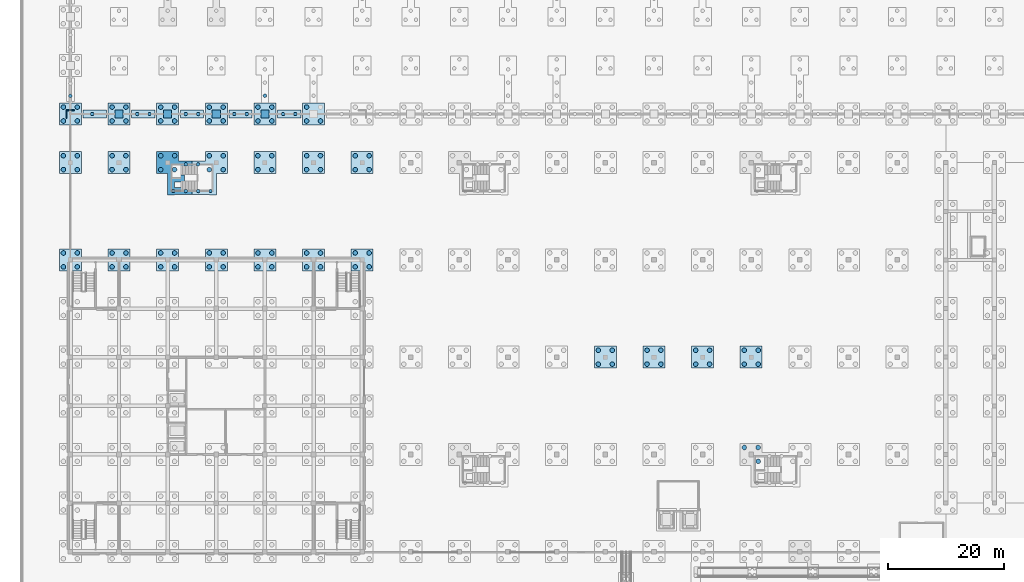
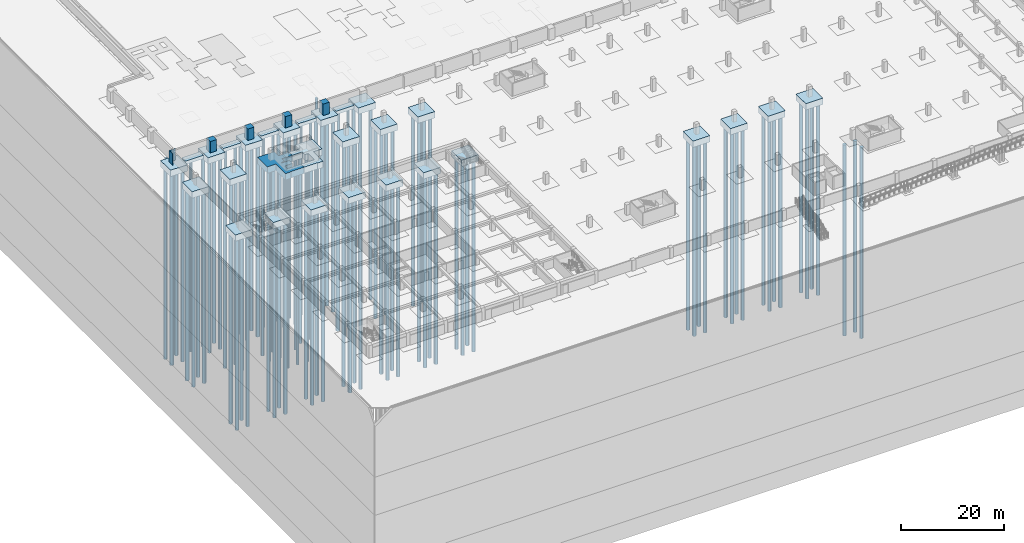
# One storey, part 3 of 67: 115 piles, 34 footings.
"""IFC4 building model written with IfcOpenShell, lengths in metres."""

from ifc_helpers import new_model, si_unit, direction, frame, origin, origin_2d, place, context, subcontext, project, spatial, polyline, circle, outline, extrude, material, material_profile, profile_set, type_object, element, save


model = new_model("IFC4")

# Units and contexts
model_context = context("Model", 3, precision=1e-05, world=origin(), true_north=direction((0.0, 1.0)))
body_context = subcontext(model_context, "Body", "Model", "MODEL_VIEW")
ifc_project = project(units=[si_unit("LENGTHUNIT", "METRE"), si_unit("AREAUNIT", "SQUARE_METRE"), si_unit("VOLUMEUNIT", "CUBIC_METRE"), si_unit("PLANEANGLEUNIT", "RADIAN"), si_unit("MASSUNIT", "GRAM", prefix="KILO")], contexts=[model_context])

# Site, building, storey
site_placement = place(None, origin())
site = spatial("IfcSite", under=ifc_project, at=site_placement, CompositionType="ELEMENT")
building_placement = place(site_placement, origin())
building = spatial("IfcBuilding", under=site, at=building_placement, Name="Rain Tree Exposition and Congress Centre", CompositionType="ELEMENT")
storey_placement = place(building_placement, frame((0.0, 0.0, -3.0)))
storey = spatial("IfcBuildingStorey", under=building, at=storey_placement, Name="B1", CompositionType="ELEMENT", Elevation=-3.0)

# Piles
ifc_material_1 = material(Name="Concrete C35/45", Category="concrete")
ifc_material_profile_1 = material_profile(ifc_material_1, circle(Radius=0.300048828125, at=origin_2d()), Name="D600")
ifc_profile_set_1 = profile_set([ifc_material_profile_1], Name="Concrete C35/45")
pile_type_1 = type_object("IfcPileType", Name="Bored pile D600", PredefinedType="BORED", material=ifc_profile_set_1)
for number, where, z_axis, x_axis, name in (
    (1, (17.800048828125, 62.300048828125, -1.425048828125), (0.0, 0.0, -1.0), (1.0, 0.0, 0.0), "Bored pile 0131"),
    (2, (19.933349609375, 62.300048828125, -1.425048828125), (0.0, 0.0, -1.0), (1.0, 0.0, 0.0), "Bored pile 0134"),
    (3, (19.933349609375, 66.89990234375, -1.425048828125), (0.0, 0.0, -1.0), (1.0, 0.0, 0.0), "Bored pile 0135"),
    (4, (22.066650390625, 62.300048828125, -1.425048828125), (0.0, 0.0, -1.0), (1.0, 0.0, 0.0), "Bored pile 0136"),
    (5, (22.066650390625, 66.89990234375, -1.425048828125), (0.0, 0.0, -1.0), (1.0, 0.0, 0.0), "Bored pile 0137"),
    (6, (24.199951171875, 62.300048828125, -1.425048828125), (0.0, 0.0, -1.0), (1.0, 0.0, 0.0), "Bored pile 0140"),
    (7, (33.60009765625, 78.7666015625, 1.574951171875), (0.0, 0.0, -1.0), (1.0, 0.0, 0.0), "Bored pile 2167"),
    (8, (38.86669921875, 75.60009765625, -0.72509765625), (0.0, 0.0, -1.0), (1.0, 0.0, 0.0), "Bored pile 2476"),
    (9, (36.7333984375, 75.60009765625, -0.72509765625), (0.0, 0.0, -1.0), (1.0, 0.0, 0.0), "Bored pile 2477"),
    (10, (30.466796875, 75.60009765625, -0.72509765625), (0.0, 0.0, -1.0), (1.0, 0.0, 0.0), "Bored pile 2478"),
    (11, (28.333251953125, 75.60009765625, -0.72509765625), (0.0, 0.0, -1.0), (1.0, 0.0, 0.0), "Bored pile 2479"),
    (12, (22.066650390625, 75.60009765625, -0.72509765625), (0.0, 0.0, -1.0), (1.0, 0.0, 0.0), "Bored pile 2480"),
    (13, (19.933349609375, 75.60009765625, -0.72509765625), (0.0, 0.0, -1.0), (1.0, 0.0, 0.0), "Bored pile 2481"),
    (14, (13.666748046875, 75.60009765625, -0.72509765625), (0.0, 0.0, -1.0), (1.0, 0.0, 0.0), "Bored pile 2482"),
    (15, (11.533203125, 75.60009765625, -0.72509765625), (0.0, 0.0, -1.0), (1.0, 0.0, 0.0), "Bored pile 2483"),
    (16, (3.75, 75.60009765625, -0.72509765625), (0.0, 0.0, -1.0), (1.0, 0.0, 0.0), "Bored pile 2484"),
    (17, (0.0, 78.7333984375, -0.72509765625), (0.0, 0.0, -1.0), (1.0, 0.0, 0.0), "Bored pile 2485"),
):
    element("IfcPile", number, at=place(storey_placement, frame(where, z_axis=z_axis, x_axis=x_axis)), inside=storey, type_object=pile_type_1, Name=name, PredefinedType="BORED", context=body_context, shape_type="SweptSolid", body=[
        extrude(circle(Radius=0.300048828125, at=origin_2d()), origin(), (0.0, 0.0, 1.0), 45.074951171875),
    ])
ifc_material_2 = material(Name="Concrete C35/45", Category="concrete")
ifc_material_profile_2 = material_profile(ifc_material_2, circle(Radius=0.39990234375, at=origin_2d()), Name="D800")
ifc_profile_set_2 = profile_set([ifc_material_profile_2], Name="Concrete C35/45")
pile_type_2 = type_object("IfcPileType", Name="Bored pile D800", PredefinedType="BORED", material=ifc_profile_set_2)
for number, where, z_axis, x_axis, name in (
    (18, (7.199951171875, 49.199951171875, -1.425048828125), (0.0, 0.0, -1.0), (1.0, 0.0, 0.0), "Bored pile 0113"),
    (19, (9.60009765625, 49.199951171875, -1.425048828125), (0.0, 0.0, -1.0), (1.0, 0.0, 0.0), "Bored pile 0114"),
    (20, (7.199951171875, 51.60009765625, -1.425048828125), (0.0, 0.0, -1.0), (1.0, 0.0, 0.0), "Bored pile 0115"),
    (21, (9.60009765625, 51.60009765625, -1.425048828125), (0.0, 0.0, -1.0), (1.0, 0.0, 0.0), "Bored pile 0116"),
    (22, (24.0, 49.199951171875, -1.425048828125), (0.0, 0.0, -1.0), (1.0, 0.0, 0.0), "Bored pile 0117"),
    (23, (26.39990234375, 49.199951171875, -1.425048828125), (0.0, 0.0, -1.0), (1.0, 0.0, 0.0), "Bored pile 0118"),
    (24, (24.0, 51.60009765625, -1.425048828125), (0.0, 0.0, -1.0), (1.0, 0.0, 0.0), "Bored pile 0119"),
    (25, (26.39990234375, 51.60009765625, -1.425048828125), (0.0, 0.0, -1.0), (1.0, 0.0, 0.0), "Bored pile 0120"),
    (26, (15.60009765625, 49.199951171875, -1.425048828125), (0.0, 0.0, -1.0), (1.0, 0.0, 0.0), "Bored pile 0121"),
    (27, (18.0, 49.199951171875, -1.425048828125), (0.0, 0.0, -1.0), (1.0, 0.0, 0.0), "Bored pile 0122"),
    (28, (15.60009765625, 51.60009765625, -1.425048828125), (0.0, 0.0, -1.0), (1.0, 0.0, 0.0), "Bored pile 0123"),
    (29, (18.0, 51.60009765625, -1.425048828125), (0.0, 0.0, -1.0), (1.0, 0.0, 0.0), "Bored pile 0124"),
    (30, (-1.199951171875, 49.199951171875, -1.425048828125), (0.0, 0.0, -1.0), (1.0, 0.0, 0.0), "Bored pile 0125"),
    (31, (1.199951171875, 49.199951171875, -1.425048828125), (0.0, 0.0, -1.0), (1.0, 0.0, 0.0), "Bored pile 0126"),
    (32, (-1.199951171875, 51.60009765625, -1.425048828125), (0.0, 0.0, -1.0), (1.0, 0.0, 0.0), "Bored pile 0127"),
    (33, (1.199951171875, 51.60009765625, -1.425048828125), (0.0, 0.0, -1.0), (1.0, 0.0, 0.0), "Bored pile 0128"),
    (34, (15.60009765625, 66.0, -1.425048828125), (0.0, 0.0, -1.0), (1.0, 0.0, 0.0), "Bored pile 0129"),
    (35, (15.60009765625, 68.39990234375, -1.425048828125), (0.0, 0.0, -1.0), (1.0, 0.0, 0.0), "Bored pile 0130"),
    (36, (18.0, 66.0, -1.425048828125), (0.0, 0.0, -1.0), (1.0, 0.0, 0.0), "Bored pile 0132"),
    (37, (18.0, 68.39990234375, -1.425048828125), (0.0, 0.0, -1.0), (1.0, 0.0, 0.0), "Bored pile 0133"),
    (38, (24.0, 66.0, -1.425048828125), (0.0, 0.0, -1.0), (1.0, 0.0, 0.0), "Bored pile 0138"),
    (39, (24.0, 68.39990234375, -1.425048828125), (0.0, 0.0, -1.0), (1.0, 0.0, 0.0), "Bored pile 0139"),
    (40, (26.39990234375, 66.0, -1.425048828125), (0.0, 0.0, -1.0), (1.0, 0.0, 0.0), "Bored pile 0141"),
    (41, (26.39990234375, 68.39990234375, -1.425048828125), (0.0, 0.0, -1.0), (1.0, 0.0, 0.0), "Bored pile 0142"),
    (42, (32.39990234375, 66.0, -1.425048828125), (0.0, 0.0, -1.0), (1.0, 0.0, 0.0), "Bored pile 0143"),
    (43, (34.800048828125, 66.0, -1.425048828125), (0.0, 0.0, -1.0), (1.0, 0.0, 0.0), "Bored pile 0144"),
    (44, (32.39990234375, 68.39990234375, -1.425048828125), (0.0, 0.0, -1.0), (1.0, 0.0, 0.0), "Bored pile 0145"),
    (45, (34.800048828125, 68.39990234375, -1.425048828125), (0.0, 0.0, -1.0), (1.0, 0.0, 0.0), "Bored pile 0146"),
    (46, (7.199951171875, 66.0, -1.425048828125), (0.0, 0.0, -1.0), (1.0, 0.0, 0.0), "Bored pile 0147"),
    (47, (9.60009765625, 66.0, -1.425048828125), (0.0, 0.0, -1.0), (1.0, 0.0, 0.0), "Bored pile 0148"),
    (48, (7.199951171875, 68.39990234375, -1.425048828125), (0.0, 0.0, -1.0), (1.0, 0.0, 0.0), "Bored pile 0149"),
    (49, (9.60009765625, 68.39990234375, -1.425048828125), (0.0, 0.0, -1.0), (1.0, 0.0, 0.0), "Bored pile 0150"),
    (50, (-1.199951171875, 66.0, -1.425048828125), (0.0, 0.0, -1.0), (1.0, 0.0, 0.0), "Bored pile 0151"),
    (51, (1.199951171875, 66.0, -1.425048828125), (0.0, 0.0, -1.0), (1.0, 0.0, 0.0), "Bored pile 0152"),
    (52, (-1.199951171875, 68.39990234375, -1.425048828125), (0.0, 0.0, -1.0), (1.0, 0.0, 0.0), "Bored pile 0153"),
    (53, (1.199951171875, 68.39990234375, -1.425048828125), (0.0, 0.0, -1.0), (1.0, 0.0, 0.0), "Bored pile 0154"),
    (54, (-1.199951171875, 74.39990234375, -1.425048828125), (0.0, 0.0, -1.0), (1.0, 0.0, 0.0), "Bored pile 0155"),
    (55, (1.199951171875, 74.39990234375, -1.425048828125), (0.0, 0.0, -1.0), (1.0, 0.0, 0.0), "Bored pile 0156"),
    (56, (-1.199951171875, 76.800048828125, -1.425048828125), (0.0, 0.0, -1.0), (1.0, 0.0, 0.0), "Bored pile 0157"),
    (57, (1.199951171875, 76.800048828125, -1.425048828125), (0.0, 0.0, -1.0), (1.0, 0.0, 0.0), "Bored pile 0158"),
    (58, (24.0, 74.39990234375, -1.425048828125), (0.0, 0.0, -1.0), (1.0, 0.0, 0.0), "Bored pile 0159"),
    (59, (26.39990234375, 74.39990234375, -1.425048828125), (0.0, 0.0, -1.0), (1.0, 0.0, 0.0), "Bored pile 0160"),
    (60, (24.0, 76.800048828125, -1.425048828125), (0.0, 0.0, -1.0), (1.0, 0.0, 0.0), "Bored pile 0161"),
    (61, (26.39990234375, 76.800048828125, -1.425048828125), (0.0, 0.0, -1.0), (1.0, 0.0, 0.0), "Bored pile 0162"),
    (62, (32.39990234375, 74.39990234375, -1.425048828125), (0.0, 0.0, -1.0), (1.0, 0.0, 0.0), "Bored pile 0163"),
    (63, (34.800048828125, 74.39990234375, -1.425048828125), (0.0, 0.0, -1.0), (1.0, 0.0, 0.0), "Bored pile 0164"),
    (64, (32.39990234375, 76.800048828125, -1.425048828125), (0.0, 0.0, -1.0), (1.0, 0.0, 0.0), "Bored pile 0165"),
    (65, (34.800048828125, 76.800048828125, -1.425048828125), (0.0, 0.0, -1.0), (1.0, 0.0, 0.0), "Bored pile 0166"),
    (66, (15.60009765625, 74.39990234375, -1.425048828125), (0.0, 0.0, -1.0), (1.0, 0.0, 0.0), "Bored pile 0167"),
    (67, (18.0, 74.39990234375, -1.425048828125), (0.0, 0.0, -1.0), (1.0, 0.0, 0.0), "Bored pile 0168"),
    (68, (15.60009765625, 76.800048828125, -1.425048828125), (0.0, 0.0, -1.0), (1.0, 0.0, 0.0), "Bored pile 0169"),
    (69, (18.0, 76.800048828125, -1.425048828125), (0.0, 0.0, -1.0), (1.0, 0.0, 0.0), "Bored pile 0170"),
    (70, (7.199951171875, 74.39990234375, -1.425048828125), (0.0, 0.0, -1.0), (1.0, 0.0, 0.0), "Bored pile 0171"),
    (71, (9.60009765625, 74.39990234375, -1.425048828125), (0.0, 0.0, -1.0), (1.0, 0.0, 0.0), "Bored pile 0172"),
    (72, (7.199951171875, 76.800048828125, -1.425048828125), (0.0, 0.0, -1.0), (1.0, 0.0, 0.0), "Bored pile 0173"),
    (73, (9.60009765625, 76.800048828125, -1.425048828125), (0.0, 0.0, -1.0), (1.0, 0.0, 0.0), "Bored pile 0174"),
    (74, (49.199951171875, 49.199951171875, -1.425048828125), (0.0, 0.0, -1.0), (1.0, 0.0, 0.0), "Bored pile 0365"),
    (75, (51.60009765625, 49.199951171875, -1.425048828125), (0.0, 0.0, -1.0), (1.0, 0.0, 0.0), "Bored pile 0366"),
    (76, (49.199951171875, 51.60009765625, -1.425048828125), (0.0, 0.0, -1.0), (1.0, 0.0, 0.0), "Bored pile 0367"),
    (77, (51.60009765625, 51.60009765625, -1.425048828125), (0.0, 0.0, -1.0), (1.0, 0.0, 0.0), "Bored pile 0368"),
    (78, (40.800048828125, 49.199951171875, -1.425048828125), (0.0, 0.0, -1.0), (1.0, 0.0, 0.0), "Bored pile 0369"),
    (79, (43.199951171875, 49.199951171875, -1.425048828125), (0.0, 0.0, -1.0), (1.0, 0.0, 0.0), "Bored pile 0370"),
    (80, (40.800048828125, 51.60009765625, -1.425048828125), (0.0, 0.0, -1.0), (1.0, 0.0, 0.0), "Bored pile 0371"),
    (81, (43.199951171875, 51.60009765625, -1.425048828125), (0.0, 0.0, -1.0), (1.0, 0.0, 0.0), "Bored pile 0372"),
    (82, (32.39990234375, 49.199951171875, -1.425048828125), (0.0, 0.0, -1.0), (1.0, 0.0, 0.0), "Bored pile 0373"),
    (83, (34.800048828125, 49.199951171875, -1.425048828125), (0.0, 0.0, -1.0), (1.0, 0.0, 0.0), "Bored pile 0374"),
    (84, (32.39990234375, 51.60009765625, -1.425048828125), (0.0, 0.0, -1.0), (1.0, 0.0, 0.0), "Bored pile 0375"),
    (85, (34.800048828125, 51.60009765625, -1.425048828125), (0.0, 0.0, -1.0), (1.0, 0.0, 0.0), "Bored pile 0376"),
    (86, (40.800048828125, 66.0, -1.425048828125), (0.0, 0.0, -1.0), (1.0, 0.0, 0.0), "Bored pile 0385"),
    (87, (43.199951171875, 66.0, -1.425048828125), (0.0, 0.0, -1.0), (1.0, 0.0, 0.0), "Bored pile 0386"),
    (88, (40.800048828125, 68.39990234375, -1.425048828125), (0.0, 0.0, -1.0), (1.0, 0.0, 0.0), "Bored pile 0387"),
    (89, (43.199951171875, 68.39990234375, -1.425048828125), (0.0, 0.0, -1.0), (1.0, 0.0, 0.0), "Bored pile 0388"),
    (90, (49.199951171875, 66.0, -1.425048828125), (0.0, 0.0, -1.0), (1.0, 0.0, 0.0), "Bored pile 0389"),
    (91, (51.60009765625, 66.0, -1.425048828125), (0.0, 0.0, -1.0), (1.0, 0.0, 0.0), "Bored pile 0390"),
    (92, (49.199951171875, 68.39990234375, -1.425048828125), (0.0, 0.0, -1.0), (1.0, 0.0, 0.0), "Bored pile 0391"),
    (93, (51.60009765625, 68.39990234375, -1.425048828125), (0.0, 0.0, -1.0), (1.0, 0.0, 0.0), "Bored pile 0392"),
    (94, (40.800048828125, 74.39990234375, -1.425048828125), (0.0, 0.0, -1.0), (1.0, 0.0, 0.0), "Bored pile 0419"),
    (95, (43.199951171875, 74.39990234375, -1.425048828125), (0.0, 0.0, -1.0), (1.0, 0.0, 0.0), "Bored pile 0420"),
    (96, (40.800048828125, 76.800048828125, -1.425048828125), (0.0, 0.0, -1.0), (1.0, 0.0, 0.0), "Bored pile 0421"),
    (97, (99.60009765625, 32.39990234375, -1.425048828125), (0.0, 0.0, -1.0), (1.0, 0.0, 0.0), "Bored pile 0574"),
    (98, (102.0, 32.39990234375, -1.425048828125), (0.0, 0.0, -1.0), (1.0, 0.0, 0.0), "Bored pile 0575"),
    (99, (99.60009765625, 34.800048828125, -1.425048828125), (0.0, 0.0, -1.0), (1.0, 0.0, 0.0), "Bored pile 0576"),
    (100, (102.0, 34.800048828125, -1.425048828125), (0.0, 0.0, -1.0), (1.0, 0.0, 0.0), "Bored pile 0577"),
    (101, (91.199951171875, 32.39990234375, -1.425048828125), (0.0, 0.0, -1.0), (1.0, 0.0, 0.0), "Bored pile 0578"),
    (102, (93.60009765625, 32.39990234375, -1.425048828125), (0.0, 0.0, -1.0), (1.0, 0.0, 0.0), "Bored pile 0579"),
    (103, (91.199951171875, 34.800048828125, -1.425048828125), (0.0, 0.0, -1.0), (1.0, 0.0, 0.0), "Bored pile 0580"),
    (104, (93.60009765625, 34.800048828125, -1.425048828125), (0.0, 0.0, -1.0), (1.0, 0.0, 0.0), "Bored pile 0581"),
    (105, (116.39990234375, 18.0, -1.425048828125), (0.0, 0.0, -1.0), (1.0, 0.0, 0.0), "Bored pile 0726"),
    (106, (118.800048828125, 15.60009765625, -1.425048828125), (0.0, 0.0, -1.0), (1.0, 0.0, 0.0), "Bored pile 0728"),
    (107, (118.800048828125, 18.0, -1.425048828125), (0.0, 0.0, -1.0), (1.0, 0.0, 0.0), "Bored pile 0729"),
    (108, (116.39990234375, 32.39990234375, -1.425048828125), (0.0, 0.0, -1.0), (1.0, 0.0, 0.0), "Bored pile 0747"),
    (109, (118.800048828125, 32.39990234375, -1.425048828125), (0.0, 0.0, -1.0), (1.0, 0.0, 0.0), "Bored pile 0748"),
    (110, (116.39990234375, 34.800048828125, -1.425048828125), (0.0, 0.0, -1.0), (1.0, 0.0, 0.0), "Bored pile 0749"),
    (111, (118.800048828125, 34.800048828125, -1.425048828125), (0.0, 0.0, -1.0), (1.0, 0.0, 0.0), "Bored pile 0750"),
    (112, (108.0, 32.39990234375, -1.425048828125), (0.0, 0.0, -1.0), (1.0, 0.0, 0.0), "Bored pile 0751"),
    (113, (110.39990234375, 32.39990234375, -1.425048828125), (0.0, 0.0, -1.0), (1.0, 0.0, 0.0), "Bored pile 0752"),
    (114, (108.0, 34.800048828125, -1.425048828125), (0.0, 0.0, -1.0), (1.0, 0.0, 0.0), "Bored pile 0753"),
    (115, (110.39990234375, 34.800048828125, -1.425048828125), (0.0, 0.0, -1.0), (1.0, 0.0, 0.0), "Bored pile 0754"),
):
    element("IfcPile", number, at=place(storey_placement, frame(where, z_axis=z_axis, x_axis=x_axis)), inside=storey, type_object=pile_type_2, Name=name, PredefinedType="BORED", context=body_context, shape_type="SweptSolid", body=[
        extrude(circle(Radius=0.39990234375, at=origin_2d()), origin(), (0.0, 0.0, 1.0), 45.074951171875),
    ])

# Footings
ifc_material_3 = material(Name="Concrete C35/45", Category="concrete")
footing_type_1 = type_object("IfcFootingType", Name="Pier cap 2700 thick", PredefinedType="PILE_CAP", material=ifc_material_3)
footing_1_placement = place(storey_placement, origin())
element("IfcFooting", 116, at=footing_1_placement, inside=storey, type_object=footing_type_1, Name="Pier cap 032", PredefinedType="PILE_CAP", context=body_context, shape_type="SweptSolid", body=[
    extrude(outline(polyline([(7.699951171875, 74.89990234375), (9.10009765625, 74.89990234375), (9.10009765625, 76.300048828125), (7.699951171875, 76.300048828125), (7.699951171875, 74.89990234375)])), origin(), (0.0, 0.0, 1.0), 2.699951171875),
])
footing_2_placement = place(storey_placement, origin())
element("IfcFooting", 117, at=footing_2_placement, inside=storey, type_object=footing_type_1, Name="Pier cap 033", PredefinedType="PILE_CAP", context=body_context, shape_type="SweptSolid", body=[
    extrude(outline(polyline([(16.10009765625, 74.89990234375), (17.5, 74.89990234375), (17.5, 76.300048828125), (16.10009765625, 76.300048828125), (16.10009765625, 74.89990234375)])), origin(), (0.0, 0.0, 1.0), 2.699951171875),
])
footing_3_placement = place(storey_placement, origin())
element("IfcFooting", 118, at=footing_3_placement, inside=storey, type_object=footing_type_1, Name="Pier cap 034", PredefinedType="PILE_CAP", context=body_context, shape_type="SweptSolid", body=[
    extrude(outline(polyline([(24.5, 74.89990234375), (25.89990234375, 74.89990234375), (25.89990234375, 76.300048828125), (24.5, 76.300048828125), (24.5, 74.89990234375)])), origin(), (0.0, 0.0, 1.0), 2.699951171875),
])
footing_4_placement = place(storey_placement, origin())
element("IfcFooting", 119, at=footing_4_placement, inside=storey, type_object=footing_type_1, Name="Pier cap 035", PredefinedType="PILE_CAP", context=body_context, shape_type="SweptSolid", body=[
    extrude(outline(polyline([(32.89990234375, 74.89990234375), (34.300048828125, 74.89990234375), (34.300048828125, 76.300048828125), (32.89990234375, 76.300048828125), (32.89990234375, 74.89990234375)])), origin(), (0.0, 0.0, 1.0), 2.699951171875),
])
footing_5_placement = place(storey_placement, origin())
element("IfcFooting", 120, at=footing_5_placement, inside=storey, type_object=footing_type_1, Name="Pier cap 052", PredefinedType="PILE_CAP", context=body_context, shape_type="SweptSolid", body=[
    extrude(outline(polyline([(-0.60009765625, 74.89990234375), (-0.60009765625, 76.199951171875), (0.699951171875, 76.199951171875), (0.699951171875, 76.300048828125), (-0.699951171875, 76.300048828125), (-0.699951171875, 74.89990234375), (-0.60009765625, 74.89990234375)])), origin(), (0.0, 0.0, 1.0), 2.699951171875),
])
ifc_material_4 = material(Name="Concrete C35/45", Category="concrete")
footing_type_2 = type_object("IfcFootingType", Name="Pile cap 1500 thick", PredefinedType="PILE_CAP", material=ifc_material_4)
footing_6_placement = place(storey_placement, frame((0.0, 0.0, -1.5)))
element("IfcFooting", 121, at=footing_6_placement, inside=storey, type_object=footing_type_2, Name="Pile cap 029", PredefinedType="PILE_CAP", context=body_context, shape_type="SweptSolid", body=[
    extrude(outline(polyline([(10.300048828125, 48.5), (10.300048828125, 52.300048828125), (6.5, 52.300048828125), (6.5, 48.5), (10.300048828125, 48.5)])), origin(), (0.0, 0.0, 1.0), 1.5),
])
footing_7_placement = place(storey_placement, frame((0.0, 0.0, -1.5)))
element("IfcFooting", 122, at=footing_7_placement, inside=storey, type_object=footing_type_2, Name="Pile cap 030", PredefinedType="PILE_CAP", context=body_context, shape_type="SweptSolid", body=[
    extrude(outline(polyline([(27.10009765625, 48.5), (27.10009765625, 52.300048828125), (23.300048828125, 52.300048828125), (23.300048828125, 48.5), (27.10009765625, 48.5)])), origin(), (0.0, 0.0, 1.0), 1.5),
])
footing_8_placement = place(storey_placement, frame((0.0, 0.0, -1.5)))
element("IfcFooting", 123, at=footing_8_placement, inside=storey, type_object=footing_type_2, Name="Pile cap 031", PredefinedType="PILE_CAP", context=body_context, shape_type="SweptSolid", body=[
    extrude(outline(polyline([(18.699951171875, 48.5), (18.699951171875, 52.300048828125), (14.89990234375, 52.300048828125), (14.89990234375, 48.5), (18.699951171875, 48.5)])), origin(), (0.0, 0.0, 1.0), 1.5),
])
footing_9_placement = place(storey_placement, frame((0.0, 0.0, -1.5)))
element("IfcFooting", 124, at=footing_9_placement, inside=storey, type_object=footing_type_2, Name="Pile cap 032", PredefinedType="PILE_CAP", context=body_context, shape_type="SweptSolid", body=[
    extrude(outline(polyline([(1.89990234375, 48.5), (1.89990234375, 52.300048828125), (-1.89990234375, 52.300048828125), (-1.89990234375, 48.5), (1.89990234375, 48.5)])), origin(), (0.0, 0.0, 1.0), 1.5),
])
footing_10_placement = place(storey_placement, frame((0.0, 0.0, -1.5)))
element("IfcFooting", 125, at=footing_10_placement, inside=storey, type_object=footing_type_2, Name="Pile cap 033", PredefinedType="PILE_CAP", context=body_context, shape_type="SweptSolid", body=[
    extrude(outline(polyline([(35.5, 65.300048828125), (35.5, 69.10009765625), (31.699951171875, 69.10009765625), (31.699951171875, 65.300048828125), (35.5, 65.300048828125)])), origin(), (0.0, 0.0, 1.0), 1.5),
])
footing_11_placement = place(storey_placement, frame((0.0, 0.0, -1.5)))
element("IfcFooting", 126, at=footing_11_placement, inside=storey, type_object=footing_type_2, Name="Pile cap 034", PredefinedType="PILE_CAP", context=body_context, shape_type="SweptSolid", body=[
    extrude(outline(polyline([(10.300048828125, 65.300048828125), (10.300048828125, 69.10009765625), (6.5, 69.10009765625), (6.5, 65.300048828125), (10.300048828125, 65.300048828125)])), origin(), (0.0, 0.0, 1.0), 1.5),
])
footing_12_placement = place(storey_placement, frame((0.0, 0.0, -1.5)))
element("IfcFooting", 127, at=footing_12_placement, inside=storey, type_object=footing_type_2, Name="Pile cap 035", PredefinedType="PILE_CAP", context=body_context, shape_type="SweptSolid", body=[
    extrude(outline(polyline([(1.89990234375, 65.300048828125), (1.89990234375, 69.10009765625), (-1.89990234375, 69.10009765625), (-1.89990234375, 65.300048828125), (1.89990234375, 65.300048828125)])), origin(), (0.0, 0.0, 1.0), 1.5),
])
footing_13_placement = place(storey_placement, frame((0.0, 0.0, -1.5)))
element("IfcFooting", 128, at=footing_13_placement, inside=storey, type_object=footing_type_2, Name="Pile cap 036", PredefinedType="PILE_CAP", context=body_context, shape_type="SweptSolid", body=[
    extrude(outline(polyline([(1.89990234375, 73.699951171875), (1.89990234375, 77.5), (-1.89990234375, 77.5), (-1.89990234375, 73.699951171875), (1.89990234375, 73.699951171875)])), origin(), (0.0, 0.0, 1.0), 1.5),
])
footing_14_placement = place(storey_placement, frame((0.0, 0.0, -1.5)))
element("IfcFooting", 129, at=footing_14_placement, inside=storey, type_object=footing_type_2, Name="Pile cap 037", PredefinedType="PILE_CAP", context=body_context, shape_type="SweptSolid", body=[
    extrude(outline(polyline([(27.10009765625, 73.699951171875), (27.10009765625, 77.5), (23.300048828125, 77.5), (23.300048828125, 73.699951171875), (27.10009765625, 73.699951171875)])), origin(), (0.0, 0.0, 1.0), 1.5),
])
footing_15_placement = place(storey_placement, frame((0.0, 0.0, -1.5)))
element("IfcFooting", 130, at=footing_15_placement, inside=storey, type_object=footing_type_2, Name="Pile cap 038", PredefinedType="PILE_CAP", context=body_context, shape_type="SweptSolid", body=[
    extrude(outline(polyline([(35.5, 73.699951171875), (35.5, 77.5), (31.699951171875, 77.5), (31.699951171875, 73.699951171875), (35.5, 73.699951171875)])), origin(), (0.0, 0.0, 1.0), 1.5),
])
footing_16_placement = place(storey_placement, frame((0.0, 0.0, -1.5)))
element("IfcFooting", 131, at=footing_16_placement, inside=storey, type_object=footing_type_2, Name="Pile cap 039", PredefinedType="PILE_CAP", context=body_context, shape_type="SweptSolid", body=[
    extrude(outline(polyline([(18.699951171875, 73.699951171875), (18.699951171875, 77.5), (14.89990234375, 77.5), (14.89990234375, 73.699951171875), (18.699951171875, 73.699951171875)])), origin(), (0.0, 0.0, 1.0), 1.5),
])
footing_17_placement = place(storey_placement, frame((0.0, 0.0, -1.5)))
element("IfcFooting", 132, at=footing_17_placement, inside=storey, type_object=footing_type_2, Name="Pile cap 040", PredefinedType="PILE_CAP", context=body_context, shape_type="SweptSolid", body=[
    extrude(outline(polyline([(10.300048828125, 73.699951171875), (10.300048828125, 77.5), (6.5, 77.5), (6.5, 73.699951171875), (10.300048828125, 73.699951171875)])), origin(), (0.0, 0.0, 1.0), 1.5),
])
footing_18_placement = place(storey_placement, frame((0.0, 0.0, -1.5)))
element("IfcFooting", 133, at=footing_18_placement, inside=storey, type_object=footing_type_2, Name="Pile cap 074", PredefinedType="PILE_CAP", context=body_context, shape_type="SweptSolid", body=[
    extrude(outline(polyline([(52.300048828125, 48.5), (52.300048828125, 52.300048828125), (48.5, 52.300048828125), (48.5, 48.5), (52.300048828125, 48.5)])), origin(), (0.0, 0.0, 1.0), 1.5),
])
footing_19_placement = place(storey_placement, frame((0.0, 0.0, -1.5)))
element("IfcFooting", 134, at=footing_19_placement, inside=storey, type_object=footing_type_2, Name="Pile cap 075", PredefinedType="PILE_CAP", context=body_context, shape_type="SweptSolid", body=[
    extrude(outline(polyline([(43.89990234375, 48.5), (43.89990234375, 52.300048828125), (40.10009765625, 52.300048828125), (40.10009765625, 48.5), (43.89990234375, 48.5)])), origin(), (0.0, 0.0, 1.0), 1.5),
])
footing_20_placement = place(storey_placement, frame((0.0, 0.0, -1.5)))
element("IfcFooting", 135, at=footing_20_placement, inside=storey, type_object=footing_type_2, Name="Pile cap 076", PredefinedType="PILE_CAP", context=body_context, shape_type="SweptSolid", body=[
    extrude(outline(polyline([(35.5, 48.5), (35.5, 52.300048828125), (31.699951171875, 52.300048828125), (31.699951171875, 48.5), (35.5, 48.5)])), origin(), (0.0, 0.0, 1.0), 1.5),
])
footing_21_placement = place(storey_placement, frame((0.0, 0.0, -1.5)))
element("IfcFooting", 136, at=footing_21_placement, inside=storey, type_object=footing_type_2, Name="Pile cap 079", PredefinedType="PILE_CAP", context=body_context, shape_type="SweptSolid", body=[
    extrude(outline(polyline([(43.89990234375, 65.300048828125), (43.89990234375, 69.10009765625), (40.10009765625, 69.10009765625), (40.10009765625, 65.300048828125), (43.89990234375, 65.300048828125)])), origin(), (0.0, 0.0, 1.0), 1.5),
])
footing_22_placement = place(storey_placement, frame((0.0, 0.0, -1.5)))
element("IfcFooting", 137, at=footing_22_placement, inside=storey, type_object=footing_type_2, Name="Pile cap 080", PredefinedType="PILE_CAP", context=body_context, shape_type="SweptSolid", body=[
    extrude(outline(polyline([(52.300048828125, 65.300048828125), (52.300048828125, 69.10009765625), (48.5, 69.10009765625), (48.5, 65.300048828125), (52.300048828125, 65.300048828125)])), origin(), (0.0, 0.0, 1.0), 1.5),
])
footing_23_placement = place(storey_placement, frame((0.0, 0.0, -1.5)))
element("IfcFooting", 138, at=footing_23_placement, inside=storey, type_object=footing_type_2, Name="Pile cap 084", PredefinedType="PILE_CAP", context=body_context, shape_type="SweptSolid", body=[
    extrude(outline(polyline([(43.89990234375, 73.699951171875), (43.89990234375, 77.5), (40.10009765625, 77.5), (40.10009765625, 73.699951171875), (43.89990234375, 73.699951171875)])), origin(), (0.0, 0.0, 1.0), 1.5),
])
footing_24_placement = place(storey_placement, frame((0.0, 0.0, -1.5)))
element("IfcFooting", 139, at=footing_24_placement, inside=storey, type_object=footing_type_2, Name="Pile cap 111", PredefinedType="PILE_CAP", context=body_context, shape_type="SweptSolid", body=[
    extrude(outline(polyline([(102.699951171875, 31.699951171875), (102.699951171875, 35.5), (98.89990234375, 35.5), (98.89990234375, 31.699951171875), (102.699951171875, 31.699951171875)])), origin(), (0.0, 0.0, 1.0), 1.5),
])
footing_25_placement = place(storey_placement, frame((0.0, 0.0, -1.5)))
element("IfcFooting", 140, at=footing_25_placement, inside=storey, type_object=footing_type_2, Name="Pile cap 112", PredefinedType="PILE_CAP", context=body_context, shape_type="SweptSolid", body=[
    extrude(outline(polyline([(94.300048828125, 31.699951171875), (94.300048828125, 35.5), (90.5, 35.5), (90.5, 31.699951171875), (94.300048828125, 31.699951171875)])), origin(), (0.0, 0.0, 1.0), 1.5),
])
footing_26_placement = place(storey_placement, frame((0.0, 0.0, -1.5)))
element("IfcFooting", 141, at=footing_26_placement, inside=storey, type_object=footing_type_2, Name="Pile cap 146", PredefinedType="PILE_CAP", context=body_context, shape_type="SweptSolid", body=[
    extrude(outline(polyline([(119.5, 31.699951171875), (119.5, 35.5), (115.699951171875, 35.5), (115.699951171875, 31.699951171875), (119.5, 31.699951171875)])), origin(), (0.0, 0.0, 1.0), 1.5),
])
footing_27_placement = place(storey_placement, frame((0.0, 0.0, -1.5)))
element("IfcFooting", 142, at=footing_27_placement, inside=storey, type_object=footing_type_2, Name="Pile cap 147", PredefinedType="PILE_CAP", context=body_context, shape_type="SweptSolid", body=[
    extrude(outline(polyline([(111.10009765625, 31.699951171875), (111.10009765625, 35.5), (107.300048828125, 35.5), (107.300048828125, 31.699951171875), (111.10009765625, 31.699951171875)])), origin(), (0.0, 0.0, 1.0), 1.5),
])
ifc_material_5 = material(Name="Concrete C35/45", Category="concrete")
footing_type_3 = type_object("IfcFootingType", Name="Strip footing 1500 thick", PredefinedType="STRIP_FOOTING", material=ifc_material_5)
footing_28_placement = place(storey_placement, frame((0.0, 0.0, -1.5)))
element("IfcFooting", 143, at=footing_28_placement, inside=storey, type_object=footing_type_3, Name="Strip footing 001", PredefinedType="STRIP_FOOTING", context=body_context, shape_type="SweptSolid", body=[
    extrude(outline(polyline([(18.0, 61.60009765625), (18.0, 61.699951171875), (21.0, 61.699951171875), (21.0, 62.89990234375), (18.0, 62.89990234375), (18.0, 63.89990234375), (19.699951171875, 63.89990234375), (19.699951171875, 65.10009765625), (19.10009765625, 65.10009765625), (18.0, 65.10009765625), (18.0, 65.300048828125), (18.699951171875, 65.300048828125), (18.699951171875, 66.300048828125), (21.0, 66.300048828125), (21.0, 67.5), (18.699951171875, 67.5), (18.699951171875, 69.10009765625), (14.89990234375, 69.10009765625), (14.89990234375, 65.300048828125), (16.800048828125, 65.300048828125), (16.800048828125, 61.60009765625), (18.0, 61.60009765625)])), origin(), (0.0, 0.0, 1.0), 1.5),
])
footing_29_placement = place(storey_placement, frame((0.0, 0.0, -1.5)))
element("IfcFooting", 144, at=footing_29_placement, inside=storey, type_object=footing_type_3, Name="Strip footing 002", PredefinedType="STRIP_FOOTING", context=body_context, shape_type="SweptSolid", body=[
    extrude(outline(polyline([(23.300048828125, 67.5), (21.0, 67.5), (21.0, 66.300048828125), (23.300048828125, 66.300048828125), (23.300048828125, 65.300048828125), (24.0, 65.300048828125), (24.0, 62.89990234375), (21.0, 62.89990234375), (21.0, 61.699951171875), (24.0, 61.699951171875), (24.0, 61.60009765625), (25.199951171875, 61.60009765625), (25.199951171875, 62.199951171875), (25.199951171875, 65.300048828125), (27.10009765625, 65.300048828125), (27.10009765625, 69.10009765625), (23.300048828125, 69.10009765625), (23.300048828125, 67.5)])), origin(), (0.0, 0.0, 1.0), 1.5),
])
ifc_material_6 = material(Name="Concrete C35/45", Category="concrete")
footing_type_4 = type_object("IfcFootingType", Name="Strip footing 800 thick", PredefinedType="STRIP_FOOTING", material=ifc_material_6)
footing_30_placement = place(storey_placement, frame((0.0, 0.0, -0.800048828125)))
element("IfcFooting", 145, at=footing_30_placement, inside=storey, type_object=footing_type_4, Name="Strip footing 127", PredefinedType="STRIP_FOOTING", context=body_context, shape_type="SweptSolid", body=[
    extrude(outline(polyline([(39.800048828125, 74.89990234375), (39.800048828125, 76.300048828125), (35.800048828125, 76.300048828125), (35.800048828125, 74.89990234375), (39.800048828125, 74.89990234375)])), origin(), (0.0, 0.0, 1.0), 0.800048828125),
])
footing_31_placement = place(storey_placement, frame((0.0, 0.0, -0.800048828125)))
element("IfcFooting", 146, at=footing_31_placement, inside=storey, type_object=footing_type_4, Name="Strip footing 128", PredefinedType="STRIP_FOOTING", context=body_context, shape_type="SweptSolid", body=[
    extrude(outline(polyline([(31.39990234375, 74.89990234375), (31.39990234375, 76.300048828125), (27.39990234375, 76.300048828125), (27.39990234375, 74.89990234375), (31.39990234375, 74.89990234375)])), origin(), (0.0, 0.0, 1.0), 0.800048828125),
])
footing_32_placement = place(storey_placement, frame((0.0, 0.0, -0.800048828125)))
element("IfcFooting", 147, at=footing_32_placement, inside=storey, type_object=footing_type_4, Name="Strip footing 129", PredefinedType="STRIP_FOOTING", context=body_context, shape_type="SweptSolid", body=[
    extrude(outline(polyline([(23.0, 74.89990234375), (23.0, 76.300048828125), (19.0, 76.300048828125), (19.0, 74.89990234375), (23.0, 74.89990234375)])), origin(), (0.0, 0.0, 1.0), 0.800048828125),
])
footing_33_placement = place(storey_placement, frame((0.0, 0.0, -0.800048828125)))
element("IfcFooting", 148, at=footing_33_placement, inside=storey, type_object=footing_type_4, Name="Strip footing 130", PredefinedType="STRIP_FOOTING", context=body_context, shape_type="SweptSolid", body=[
    extrude(outline(polyline([(14.60009765625, 74.89990234375), (14.60009765625, 76.300048828125), (10.60009765625, 76.300048828125), (10.60009765625, 74.89990234375), (14.60009765625, 74.89990234375)])), origin(), (0.0, 0.0, 1.0), 0.800048828125),
])
footing_34_placement = place(storey_placement, frame((0.0, 0.0, -0.800048828125)))
element("IfcFooting", 149, at=footing_34_placement, inside=storey, type_object=footing_type_4, Name="Strip footing 131", PredefinedType="STRIP_FOOTING", context=body_context, shape_type="SweptSolid", body=[
    extrude(outline(polyline([(6.199951171875, 74.89990234375), (6.199951171875, 76.300048828125), (2.199951171875, 76.300048828125), (2.199951171875, 74.89990234375), (6.199951171875, 74.89990234375)])), origin(), (0.0, 0.0, 1.0), 0.800048828125),
])

save(model, "model.ifc")
